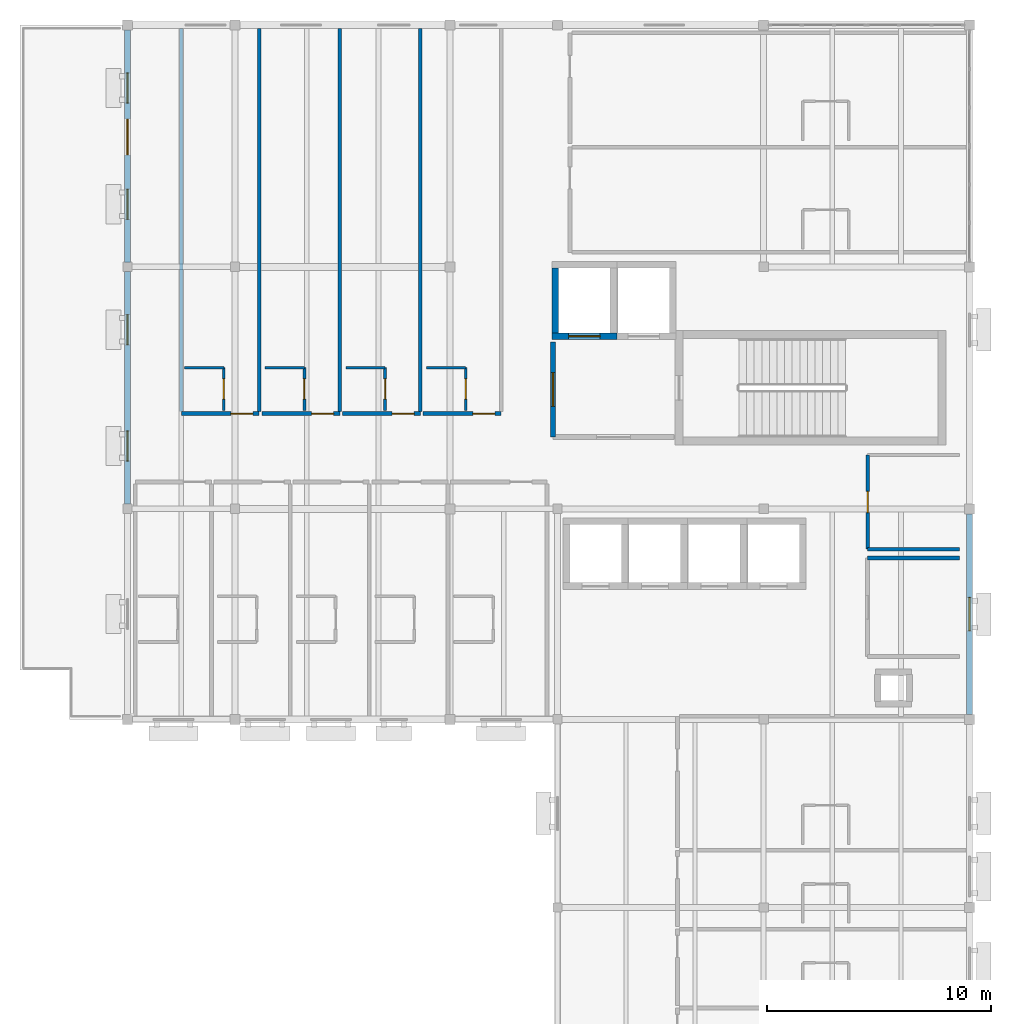
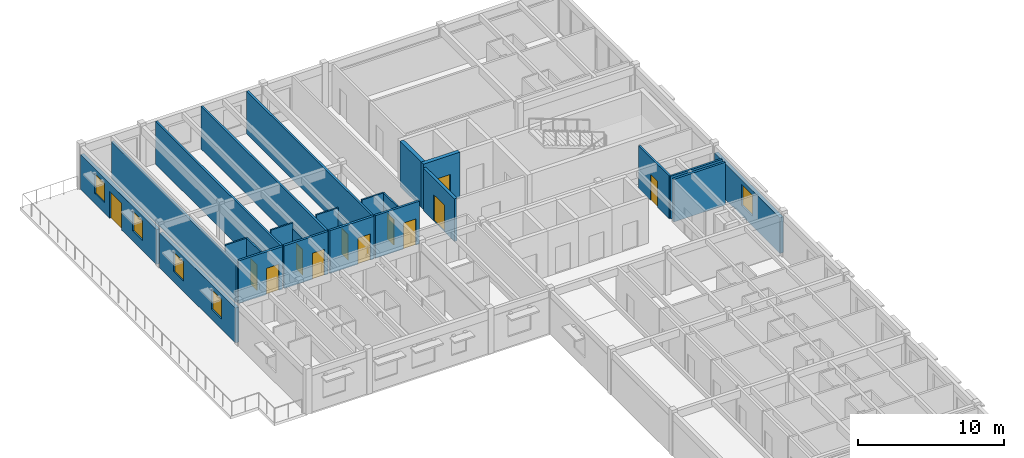
# One storey, part 9 of 15: 25 walls, 12 doors, 5 windows, 17 openings.
"""IFC4 building model written with IfcOpenShell, lengths in metres."""

from ifc_helpers import new_model, si_unit, direction, frame, frame_2d, origin, place, context, subcontext, project, spatial, rectangle, extrude, material, layer, layer_set, type_object, element, fill, save


model = new_model("IFC4")

# Units and contexts
model_context = context("Model", 3, precision=1e-05, world=origin(), true_north=direction((0.0, 1.0)))
body_context = subcontext(model_context, "Body", "Model", "MODEL_VIEW")
ifc_project = project(units=[si_unit("LENGTHUNIT", "METRE"), si_unit("AREAUNIT", "SQUARE_METRE"), si_unit("VOLUMEUNIT", "CUBIC_METRE"), si_unit("PLANEANGLEUNIT", "RADIAN"), si_unit("MASSUNIT", "GRAM", prefix="KILO")], contexts=[model_context])

# Site, building, storey
site_placement = place(None, origin())
site = spatial("IfcSite", under=ifc_project, at=site_placement, CompositionType="ELEMENT")
building_placement = place(site_placement, origin())
building = spatial("IfcBuilding", under=site, at=building_placement, Name="Veldera Park Congress Hotel", CompositionType="ELEMENT")
storey_placement = place(building_placement, frame((0.0, 0.0, 39.0)))
storey = spatial("IfcBuildingStorey", under=building, at=storey_placement, Name="L09", CompositionType="ELEMENT", Elevation=39.0)

# Wall, opening, window
ifc_material_1 = material(Name="Cross-laminated timber CLT V2M1.1", Category="wood")
ifc_layer_1 = layer(ifc_material_1, 0.280029296875)
ifc_layer_set_1 = layer_set([ifc_layer_1], Name="Cross-laminated timber CLT V2M1.1")
wall_type_1 = type_object("IfcWallType", Name="EW-CLT280", PredefinedType="STANDARD", material=ifc_layer_set_1)
wall_1_placement = place(storey_placement, frame((84.0, 27.222900390625, 0.0), z_axis=(0.0, 0.0, 1.0), x_axis=(0.0, 1.0, 0.0)))
wall_1 = element("IfcWall", 1, at=wall_1_placement, inside=storey, type_object=wall_type_1, Name="L09 Exterior Wall EW3-L09-0405", PredefinedType="STANDARD", context=body_context, shape_type="SweptSolid", body=[
    extrude(rectangle(XDim=8.9541015625, YDim=0.280029296875, at=frame_2d((4.47705078125, 0.0))), origin(), (0.0, 0.0, 1.0), 2.97998046875),
])
opening_1_placement = place(wall_1_placement, frame((3.72705078125, 0.0, 0.85009765625)))
opening_1 = element("IfcOpeningElement", 2, at=opening_1_placement, cuts=wall_1, Name="Opening WIN-1500", PredefinedType="OPENING", context=body_context, shape_type="SweptSolid", body=[
    extrude(rectangle(XDim=1.5, YDim=1.75, at=frame_2d((0.75, 0.875))), frame((0.0, 0.152099609375, 0.0), z_axis=(0.0, -1.0, 0.0), x_axis=(1.0, 0.0, 0.0)), (0.0, 0.0, 1.0), 0.303955078125),
])
ifc_material_2 = material(Name="Low-E Triple Insulating Glass Unit (SHGC 0.22)", Category="glass")
window_type_1 = type_object("IfcWindowType", Name="WIN-1500", PartitioningType="SINGLE_PANEL", PredefinedType="WINDOW", material=ifc_material_2)
window_1_placement = place(opening_1_placement, origin())
window_1 = element("IfcWindow", 3, at=window_1_placement, inside=storey, type_object=window_type_1, Name="L09 Window WIN-1500 313", OverallHeight=1.75, OverallWidth=1.5, PartitioningType="SINGLE_PANEL", PredefinedType="WINDOW", context=body_context, shape_type="SweptSolid", body=[
    extrude(rectangle(XDim=1.5, YDim=1.75, at=frame_2d((0.75, 0.875))), frame((0.0, 0.030029296875, 0.0), z_axis=(0.0, -1.0, 0.0), x_axis=(1.0, 0.0, 0.0)), (0.0, 0.0, 1.0), 0.06005859375),
])
fill(opening_1, window_1)

# Wall, openings, door, windows
wall_2_placement = place(storey_placement, frame((46.39990234375, 57.777099609375, 0.0), z_axis=(0.0, 0.0, 1.0), x_axis=(0.0, -1.0, 0.0)))
wall_2 = element("IfcWall", 4, at=wall_2_placement, inside=storey, type_object=wall_type_1, Name="L09 Exterior Wall EW3-L09-0411", PredefinedType="STANDARD", context=body_context, shape_type="SweptSolid", body=[
    extrude(rectangle(XDim=10.369140625, YDim=0.280029296875, at=frame_2d((5.1845703125, 0.0))), origin(), (0.0, 0.0, 1.0), 2.919921875),
])
opening_2_placement = place(wall_2_placement, frame((3.97705078125, 0.0, 0.0)))
opening_2 = element("IfcOpeningElement", 5, at=opening_2_placement, cuts=wall_2, Name="Opening ED-TER160", PredefinedType="OPENING", context=body_context, shape_type="SweptSolid", body=[
    extrude(rectangle(XDim=1.60009765625, YDim=2.25, at=frame_2d((0.800048828125, 1.125))), frame((0.0, 0.152099609375, 0.0), z_axis=(0.0, -1.0, 0.0), x_axis=(1.0, 0.0, 0.0)), (0.0, 0.0, 1.0), 0.303955078125),
])
opening_3_placement = place(wall_2_placement, frame((1.917236328125, 0.0, 0.85009765625)))
opening_3 = element("IfcOpeningElement", 6, at=opening_3_placement, cuts=wall_2, Name="Opening WIN-1350", PredefinedType="OPENING", context=body_context, shape_type="SweptSolid", body=[
    extrude(rectangle(XDim=1.35009765625, YDim=1.64990234375, at=frame_2d((0.675048828125, 0.824951171875))), frame((0.0, 0.152099609375, 0.0), z_axis=(0.0, -1.0, 0.0), x_axis=(1.0, 0.0, 0.0)), (0.0, 0.0, 1.0), 0.303955078125),
])
opening_4_placement = place(wall_2_placement, frame((7.101806640625, 0.0, 0.85009765625)))
opening_4 = element("IfcOpeningElement", 7, at=opening_4_placement, cuts=wall_2, Name="Opening WIN-1350", PredefinedType="OPENING", context=body_context, shape_type="SweptSolid", body=[
    extrude(rectangle(XDim=1.35009765625, YDim=1.64990234375, at=frame_2d((0.675048828125, 0.824951171875))), frame((0.0, 0.152099609375, 0.0), z_axis=(0.0, -1.0, 0.0), x_axis=(1.0, 0.0, 0.0)), (0.0, 0.0, 1.0), 0.303955078125),
])
ifc_material_3 = material(Name="Anodised Aluminium Alloy 6063-T6", Category="aluminium")
door_type_1 = type_object("IfcDoorType", Name="ED-TER160", OperationType="DOUBLE_DOOR_SINGLE_SWING", PredefinedType="DOOR", material=ifc_material_3)
door_1_placement = place(opening_2_placement, frame((1.60009765625, 0.0, 0.0), z_axis=(0.0, 0.0, 1.0), x_axis=(-1.0, 0.0, 0.0)))
door_1 = element("IfcDoor", 8, at=door_1_placement, inside=storey, type_object=door_type_1, Name="Exterior Door TD-L09-NW (DR3-EXT-L09-0029)", OperationType="DOUBLE_DOOR_SINGLE_SWING", OverallHeight=2.25, OverallWidth=1.60009765625, PredefinedType="DOOR", context=body_context, shape_type="SweptSolid", body=[
    extrude(rectangle(XDim=1.60009765625, YDim=2.25, at=frame_2d((0.800048828125, 1.125))), frame((0.0, 0.02490234375, 0.0), z_axis=(0.0, -1.0, 0.0), x_axis=(1.0, 0.0, 0.0)), (0.0, 0.0, 1.0), 0.050048828125),
])
fill(opening_2, door_1)
window_type_2 = type_object("IfcWindowType", Name="WIN-1350", PartitioningType="SINGLE_PANEL", PredefinedType="WINDOW", material=ifc_material_2)
window_2_placement = place(opening_3_placement, origin())
window_2 = element("IfcWindow", 9, at=window_2_placement, inside=storey, type_object=window_type_2, Name="L09 Window WIN-1350 316", OverallHeight=1.64990234375, OverallWidth=1.35009765625, PartitioningType="SINGLE_PANEL", PredefinedType="WINDOW", context=body_context, shape_type="SweptSolid", body=[
    extrude(rectangle(XDim=1.35009765625, YDim=1.64990234375, at=frame_2d((0.675048828125, 0.824951171875))), frame((0.0, 0.030029296875, 0.0), z_axis=(0.0, -1.0, 0.0), x_axis=(1.0, 0.0, 0.0)), (0.0, 0.0, 1.0), 0.06005859375),
])
fill(opening_3, window_2)
window_3_placement = place(opening_4_placement, origin())
window_3 = element("IfcWindow", 10, at=window_3_placement, inside=storey, type_object=window_type_2, Name="L09 Window WIN-1350 317", OverallHeight=1.64990234375, OverallWidth=1.35009765625, PartitioningType="SINGLE_PANEL", PredefinedType="WINDOW", context=body_context, shape_type="SweptSolid", body=[
    extrude(rectangle(XDim=1.35009765625, YDim=1.64990234375, at=frame_2d((0.675048828125, 0.824951171875))), frame((0.0, 0.030029296875, 0.0), z_axis=(0.0, -1.0, 0.0), x_axis=(1.0, 0.0, 0.0)), (0.0, 0.0, 1.0), 0.06005859375),
])
fill(opening_4, window_3)

# Wall, openings, windows
wall_3_placement = place(storey_placement, frame((46.39990234375, 46.991943359375, 0.0), z_axis=(0.0, 0.0, 1.0), x_axis=(0.0, -1.0, 0.0)))
wall_3 = element("IfcWall", 11, at=wall_3_placement, inside=storey, type_object=wall_type_1, Name="L09 Exterior Wall EW3-L09-0412", PredefinedType="STANDARD", context=body_context, shape_type="SweptSolid", body=[
    extrude(rectangle(XDim=10.384033203125, YDim=0.280029296875, at=frame_2d((5.19189453125, 0.0))), origin(), (0.0, 0.0, 1.0), 2.919921875),
])
opening_5_placement = place(wall_3_placement, frame((1.9208984375, 0.0, 0.85009765625)))
opening_5 = element("IfcOpeningElement", 12, at=opening_5_placement, cuts=wall_3, Name="Opening WIN-1350", PredefinedType="OPENING", context=body_context, shape_type="SweptSolid", body=[
    extrude(rectangle(XDim=1.35009765625, YDim=1.64990234375, at=frame_2d((0.675048828125, 0.824951171875))), frame((0.0, 0.152099609375, 0.0), z_axis=(0.0, -1.0, 0.0), x_axis=(1.0, 0.0, 0.0)), (0.0, 0.0, 1.0), 0.303955078125),
])
opening_6_placement = place(wall_3_placement, frame((7.113037109375, 0.0, 0.85009765625)))
opening_6 = element("IfcOpeningElement", 13, at=opening_6_placement, cuts=wall_3, Name="Opening WIN-1350", PredefinedType="OPENING", context=body_context, shape_type="SweptSolid", body=[
    extrude(rectangle(XDim=1.35009765625, YDim=1.64990234375, at=frame_2d((0.675048828125, 0.824951171875))), frame((0.0, 0.152099609375, 0.0), z_axis=(0.0, -1.0, 0.0), x_axis=(1.0, 0.0, 0.0)), (0.0, 0.0, 1.0), 0.303955078125),
])
window_4_placement = place(opening_5_placement, origin())
window_4 = element("IfcWindow", 14, at=window_4_placement, inside=storey, type_object=window_type_2, Name="L09 Window WIN-1350 318", OverallHeight=1.64990234375, OverallWidth=1.35009765625, PartitioningType="SINGLE_PANEL", PredefinedType="WINDOW", context=body_context, shape_type="SweptSolid", body=[
    extrude(rectangle(XDim=1.35009765625, YDim=1.64990234375, at=frame_2d((0.675048828125, 0.824951171875))), frame((0.0, 0.030029296875, 0.0), z_axis=(0.0, -1.0, 0.0), x_axis=(1.0, 0.0, 0.0)), (0.0, 0.0, 1.0), 0.06005859375),
])
fill(opening_5, window_4)
window_5_placement = place(opening_6_placement, origin())
window_5 = element("IfcWindow", 15, at=window_5_placement, inside=storey, type_object=window_type_2, Name="L09 Window WIN-1350 319", OverallHeight=1.64990234375, OverallWidth=1.35009765625, PartitioningType="SINGLE_PANEL", PredefinedType="WINDOW", context=body_context, shape_type="SweptSolid", body=[
    extrude(rectangle(XDim=1.35009765625, YDim=1.64990234375, at=frame_2d((0.675048828125, 0.824951171875))), frame((0.0, 0.030029296875, 0.0), z_axis=(0.0, -1.0, 0.0), x_axis=(1.0, 0.0, 0.0)), (0.0, 0.0, 1.0), 0.06005859375),
])
fill(opening_6, window_5)

# Wall, opening, door
ifc_material_4 = material(Name="Fire-Rated Gypsum Board on Cold-Formed Steel Studs", Category="steel")
ifc_layer_2 = layer(ifc_material_4, 0.1201171875)
ifc_layer_set_2 = layer_set([ifc_layer_2], Name="Fire-Rated Gypsum Board on Cold-Formed Steel Studs")
wall_type_2 = type_object("IfcWallType", Name="IW-BATH120", PredefinedType="PARTITIONING", material=ifc_layer_set_2)
wall_4_placement = place(storey_placement, frame((50.699951171875, 40.800048828125, 0.0), z_axis=(0.0, 0.0, 1.0), x_axis=(0.0, 1.0, 0.0)))
wall_4 = element("IfcWall", 16, at=wall_4_placement, inside=storey, type_object=wall_type_2, Name="L09 Partition Wall IW3-L09-01674", PredefinedType="PARTITIONING", context=body_context, shape_type="SweptSolid", body=[
    extrude(rectangle(XDim=1.89990234375, YDim=0.1201171875, at=frame_2d((0.949951171875, 0.0))), origin(), (0.0, 0.0, 1.0), 3.56494140625),
])
opening_7_placement = place(wall_4_placement, frame((0.5, 0.0, 0.0)))
opening_7 = element("IfcOpeningElement", 17, at=opening_7_placement, cuts=wall_4, Name="Opening ID-BATH090", PredefinedType="OPENING", context=body_context, shape_type="SweptSolid", body=[
    extrude(rectangle(XDim=0.89990234375, YDim=2.14990234375, at=frame_2d((0.449951171875, 1.074951171875))), frame((0.0, 0.072021484375, 0.0), z_axis=(0.0, -1.0, 0.0), x_axis=(1.0, 0.0, 0.0)), (0.0, 0.0, 1.0), 0.14404296875),
])
ifc_material_5 = material(Name="Solid Core White Oak Architectural Door", Category="wood")
door_type_2 = type_object("IfcDoorType", Name="ID-BATH090", OperationType="NOTDEFINED", PredefinedType="DOOR", material=ifc_material_5)
door_2_placement = place(opening_7_placement, origin())
door_2 = element("IfcDoor", 18, at=door_2_placement, inside=storey, type_object=door_type_2, Name="L09 En-suite 274 Door ID3-L09-0687 (DR3-ID3-L09-0687)", OperationType="SINGLE_SWING_LEFT", OverallHeight=2.14990234375, OverallWidth=0.89990234375, PredefinedType="DOOR", context=body_context, shape_type="SweptSolid", body=[
    extrude(rectangle(XDim=0.89990234375, YDim=2.14990234375, at=frame_2d((0.449951171875, 1.074951171875))), frame((0.0, 0.02490234375, 0.0), z_axis=(0.0, -1.0, 0.0), x_axis=(1.0, 0.0, 0.0)), (0.0, 0.0, 1.0), 0.050048828125),
])
fill(opening_7, door_2)

# Wall
wall_5_placement = place(storey_placement, frame((48.949951171875, 42.699951171875, 0.0), z_axis=(0.0, 0.0, 1.0), x_axis=(1.0, 0.0, 0.0)))
element("IfcWall", 19, at=wall_5_placement, inside=storey, type_object=wall_type_2, Name="L09 Partition Wall IW3-L09-01675", PredefinedType="PARTITIONING", context=body_context, shape_type="SweptSolid", body=[
    extrude(rectangle(XDim=1.75, YDim=0.1201171875, at=frame_2d((0.875, 0.0))), origin(), (0.0, 0.0, 1.0), 3.56494140625),
])

# Wall, opening, door
wall_6_placement = place(storey_placement, frame((54.300048828125, 40.800048828125, 0.0), z_axis=(0.0, 0.0, 1.0), x_axis=(0.0, 1.0, 0.0)))
wall_6 = element("IfcWall", 20, at=wall_6_placement, inside=storey, type_object=wall_type_2, Name="L09 Partition Wall IW3-L09-01678", PredefinedType="PARTITIONING", context=body_context, shape_type="SweptSolid", body=[
    extrude(rectangle(XDim=1.89990234375, YDim=0.1201171875, at=frame_2d((0.949951171875, 0.0))), origin(), (0.0, 0.0, 1.0), 3.110107421875),
])
opening_8_placement = place(wall_6_placement, frame((0.5, 0.0, 0.0)))
opening_8 = element("IfcOpeningElement", 21, at=opening_8_placement, cuts=wall_6, Name="Opening ID-BATH090", PredefinedType="OPENING", context=body_context, shape_type="SweptSolid", body=[
    extrude(rectangle(XDim=0.89990234375, YDim=2.14990234375, at=frame_2d((0.449951171875, 1.074951171875))), frame((0.0, 0.072021484375, 0.0), z_axis=(0.0, -1.0, 0.0), x_axis=(1.0, 0.0, 0.0)), (0.0, 0.0, 1.0), 0.14404296875),
])
door_3_placement = place(opening_8_placement, origin())
door_3 = element("IfcDoor", 22, at=door_3_placement, inside=storey, type_object=door_type_2, Name="L09 En-suite 275 Door ID3-L09-0689 (DR3-ID3-L09-0689)", OperationType="SINGLE_SWING_LEFT", OverallHeight=2.14990234375, OverallWidth=0.89990234375, PredefinedType="DOOR", context=body_context, shape_type="SweptSolid", body=[
    extrude(rectangle(XDim=0.89990234375, YDim=2.14990234375, at=frame_2d((0.449951171875, 1.074951171875))), frame((0.0, 0.02490234375, 0.0), z_axis=(0.0, -1.0, 0.0), x_axis=(1.0, 0.0, 0.0)), (0.0, 0.0, 1.0), 0.050048828125),
])
fill(opening_8, door_3)

# Wall
wall_7_placement = place(storey_placement, frame((52.550048828125, 42.699951171875, 0.0), z_axis=(0.0, 0.0, 1.0), x_axis=(1.0, 0.0, 0.0)))
element("IfcWall", 23, at=wall_7_placement, inside=storey, type_object=wall_type_2, Name="L09 Partition Wall IW3-L09-01679", PredefinedType="PARTITIONING", context=body_context, shape_type="SweptSolid", body=[
    extrude(rectangle(XDim=1.75, YDim=0.1201171875, at=frame_2d((0.875, 0.0))), origin(), (0.0, 0.0, 1.0), 3.56494140625),
])

# Wall, opening, door
wall_8_placement = place(storey_placement, frame((57.89990234375, 40.800048828125, 0.0), z_axis=(0.0, 0.0, 1.0), x_axis=(0.0, 1.0, 0.0)))
wall_8 = element("IfcWall", 24, at=wall_8_placement, inside=storey, type_object=wall_type_2, Name="L09 Partition Wall IW3-L09-01682", PredefinedType="PARTITIONING", context=body_context, shape_type="SweptSolid", body=[
    extrude(rectangle(XDim=1.89990234375, YDim=0.1201171875, at=frame_2d((0.949951171875, 0.0))), origin(), (0.0, 0.0, 1.0), 3.110107421875),
])
opening_9_placement = place(wall_8_placement, frame((0.5, 0.0, 0.0)))
opening_9 = element("IfcOpeningElement", 25, at=opening_9_placement, cuts=wall_8, Name="Opening ID-BATH090", PredefinedType="OPENING", context=body_context, shape_type="SweptSolid", body=[
    extrude(rectangle(XDim=0.89990234375, YDim=2.14990234375, at=frame_2d((0.449951171875, 1.074951171875))), frame((0.0, 0.072021484375, 0.0), z_axis=(0.0, -1.0, 0.0), x_axis=(1.0, 0.0, 0.0)), (0.0, 0.0, 1.0), 0.14404296875),
])
door_4_placement = place(opening_9_placement, origin())
door_4 = element("IfcDoor", 26, at=door_4_placement, inside=storey, type_object=door_type_2, Name="L09 En-suite 276 Door ID3-L09-0691 (DR3-ID3-L09-0691)", OperationType="SINGLE_SWING_LEFT", OverallHeight=2.14990234375, OverallWidth=0.89990234375, PredefinedType="DOOR", context=body_context, shape_type="SweptSolid", body=[
    extrude(rectangle(XDim=0.89990234375, YDim=2.14990234375, at=frame_2d((0.449951171875, 1.074951171875))), frame((0.0, 0.02490234375, 0.0), z_axis=(0.0, -1.0, 0.0), x_axis=(1.0, 0.0, 0.0)), (0.0, 0.0, 1.0), 0.050048828125),
])
fill(opening_9, door_4)

# Wall
wall_9_placement = place(storey_placement, frame((56.14990234375, 42.699951171875, 0.0), z_axis=(0.0, 0.0, 1.0), x_axis=(1.0, 0.0, 0.0)))
element("IfcWall", 27, at=wall_9_placement, inside=storey, type_object=wall_type_2, Name="L09 Partition Wall IW3-L09-01683", PredefinedType="PARTITIONING", context=body_context, shape_type="SweptSolid", body=[
    extrude(rectangle(XDim=1.75, YDim=0.1201171875, at=frame_2d((0.875, 0.0))), origin(), (0.0, 0.0, 1.0), 3.56494140625),
])

# Wall, opening, door
wall_10_placement = place(storey_placement, frame((61.5, 40.800048828125, 0.0), z_axis=(0.0, 0.0, 1.0), x_axis=(0.0, 1.0, 0.0)))
wall_10 = element("IfcWall", 28, at=wall_10_placement, inside=storey, type_object=wall_type_2, Name="L09 Partition Wall IW3-L09-01686", PredefinedType="PARTITIONING", context=body_context, shape_type="SweptSolid", body=[
    extrude(rectangle(XDim=1.89990234375, YDim=0.1201171875, at=frame_2d((0.949951171875, 0.0))), origin(), (0.0, 0.0, 1.0), 3.56494140625),
])
opening_10_placement = place(wall_10_placement, frame((0.5, 0.0, 0.0)))
opening_10 = element("IfcOpeningElement", 29, at=opening_10_placement, cuts=wall_10, Name="Opening ID-BATH090", PredefinedType="OPENING", context=body_context, shape_type="SweptSolid", body=[
    extrude(rectangle(XDim=0.89990234375, YDim=2.14990234375, at=frame_2d((0.449951171875, 1.074951171875))), frame((0.0, 0.072021484375, 0.0), z_axis=(0.0, -1.0, 0.0), x_axis=(1.0, 0.0, 0.0)), (0.0, 0.0, 1.0), 0.14404296875),
])
door_5_placement = place(opening_10_placement, origin())
door_5 = element("IfcDoor", 30, at=door_5_placement, inside=storey, type_object=door_type_2, Name="L09 En-suite 277 Door ID3-L09-0693 (DR3-ID3-L09-0693)", OperationType="SINGLE_SWING_LEFT", OverallHeight=2.14990234375, OverallWidth=0.89990234375, PredefinedType="DOOR", context=body_context, shape_type="SweptSolid", body=[
    extrude(rectangle(XDim=0.89990234375, YDim=2.14990234375, at=frame_2d((0.449951171875, 1.074951171875))), frame((0.0, 0.02490234375, 0.0), z_axis=(0.0, -1.0, 0.0), x_axis=(1.0, 0.0, 0.0)), (0.0, 0.0, 1.0), 0.050048828125),
])
fill(opening_10, door_5)

# Walls
wall_11_placement = place(storey_placement, frame((59.75, 42.699951171875, 0.0), z_axis=(0.0, 0.0, 1.0), x_axis=(1.0, 0.0, 0.0)))
element("IfcWall", 31, at=wall_11_placement, inside=storey, type_object=wall_type_2, Name="L09 Partition Wall IW3-L09-01687", PredefinedType="PARTITIONING", context=body_context, shape_type="SweptSolid", body=[
    extrude(rectangle(XDim=1.75, YDim=0.1201171875, at=frame_2d((0.875, 0.0))), origin(), (0.0, 0.0, 1.0), 3.56494140625),
])
ifc_layer_3 = layer(ifc_material_4, 0.179931640625)
ifc_layer_set_3 = layer_set([ifc_layer_3], Name="Fire-Rated Gypsum Board on Cold-Formed Steel Studs")
wall_type_3 = type_object("IfcWallType", Name="IW-CORR180", PredefinedType="PARTITIONING", material=ifc_layer_set_3)
wall_12_placement = place(storey_placement, frame((83.550048828125, 34.199951171875, 0.0), z_axis=(0.0, 0.0, 1.0), x_axis=(-1.0, 0.0, 0.0)))
element("IfcWall", 32, at=wall_12_placement, inside=storey, type_object=wall_type_3, Name="L09 Partition Wall IW3-L09-00325", PredefinedType="PARTITIONING", context=body_context, shape_type="SweptSolid", body=[
    extrude(rectangle(XDim=4.10009765625, YDim=0.179931640625, at=frame_2d((2.050048828125, 0.0))), origin(), (0.0, 0.0, 1.0), 3.56494140625),
])

# Wall, opening, door
wall_13_placement = place(storey_placement, frame((48.800048828125, 40.64990234375, 0.0), z_axis=(0.0, 0.0, 1.0), x_axis=(1.0, 0.0, 0.0)))
wall_13 = element("IfcWall", 33, at=wall_13_placement, inside=storey, type_object=wall_type_3, Name="L09 Corridor Wall IW3-L09-01671", PredefinedType="PARTITIONING", context=body_context, shape_type="SweptSolid", body=[
    extrude(rectangle(XDim=3.47998046875, YDim=0.179931640625, at=frame_2d((1.739990234375, 0.0))), origin(), (0.0, 0.0, 1.0), 3.56494140625),
])
opening_11_placement = place(wall_13_placement, frame((2.219970703125, 0.0, 0.0)))
opening_11 = element("IfcOpeningElement", 34, at=opening_11_placement, cuts=wall_13, Name="Opening ID-UNIT098", PredefinedType="OPENING", context=body_context, shape_type="SweptSolid", body=[
    extrude(rectangle(XDim=0.97998046875, YDim=2.179931640625, at=frame_2d((0.489990234375, 1.08984375))), frame((0.0, 0.10205078125, 0.0), z_axis=(0.0, -1.0, 0.0), x_axis=(1.0, 0.0, 0.0)), (0.0, 0.0, 1.0), 0.203857421875),
])
door_type_3 = type_object("IfcDoorType", Name="ID-UNIT098", OperationType="NOTDEFINED", PredefinedType="DOOR", material=ifc_material_5)
door_6_placement = place(opening_11_placement, frame((0.97998046875, 0.0, 0.0), z_axis=(0.0, 0.0, 1.0), x_axis=(-1.0, 0.0, 0.0)))
door_6 = element("IfcDoor", 35, at=door_6_placement, inside=storey, type_object=door_type_3, Name="L09 Guestroom 274 Entry Door (DR3-UD3-L09-274)", OperationType="SINGLE_SWING_RIGHT", OverallHeight=2.179931640625, OverallWidth=0.97998046875, PredefinedType="DOOR", context=body_context, shape_type="SweptSolid", body=[
    extrude(rectangle(XDim=0.97998046875, YDim=2.179931640625, at=frame_2d((0.489990234375, 1.08984375))), frame((0.0, 0.02490234375, 0.0), z_axis=(0.0, -1.0, 0.0), x_axis=(1.0, 0.0, 0.0)), (0.0, 0.0, 1.0), 0.050048828125),
])
fill(opening_11, door_6)

wall_14_placement = place(storey_placement, frame((52.39990234375, 40.64990234375, 0.0), z_axis=(0.0, 0.0, 1.0), x_axis=(1.0, 0.0, 0.0)))
wall_14 = element("IfcWall", 36, at=wall_14_placement, inside=storey, type_object=wall_type_3, Name="L09 Corridor Wall IW3-L09-01676", PredefinedType="PARTITIONING", context=body_context, shape_type="SweptSolid", body=[
    extrude(rectangle(XDim=3.47998046875, YDim=0.179931640625, at=frame_2d((1.739990234375, 0.0))), origin(), (0.0, 0.0, 1.0), 3.56494140625),
])
opening_12_placement = place(wall_14_placement, frame((2.219970703125, 0.0, 0.0)))
opening_12 = element("IfcOpeningElement", 37, at=opening_12_placement, cuts=wall_14, Name="Opening ID-UNIT098", PredefinedType="OPENING", context=body_context, shape_type="SweptSolid", body=[
    extrude(rectangle(XDim=0.97998046875, YDim=2.179931640625, at=frame_2d((0.489990234375, 1.08984375))), frame((0.0, 0.10205078125, 0.0), z_axis=(0.0, -1.0, 0.0), x_axis=(1.0, 0.0, 0.0)), (0.0, 0.0, 1.0), 0.203857421875),
])
door_7_placement = place(opening_12_placement, frame((0.97998046875, 0.0, 0.0), z_axis=(0.0, 0.0, 1.0), x_axis=(-1.0, 0.0, 0.0)))
door_7 = element("IfcDoor", 38, at=door_7_placement, inside=storey, type_object=door_type_3, Name="L09 Guestroom 275 Entry Door (DR3-UD3-L09-275)", OperationType="SINGLE_SWING_RIGHT", OverallHeight=2.179931640625, OverallWidth=0.97998046875, PredefinedType="DOOR", context=body_context, shape_type="SweptSolid", body=[
    extrude(rectangle(XDim=0.97998046875, YDim=2.179931640625, at=frame_2d((0.489990234375, 1.08984375))), frame((0.0, 0.02490234375, 0.0), z_axis=(0.0, -1.0, 0.0), x_axis=(1.0, 0.0, 0.0)), (0.0, 0.0, 1.0), 0.050048828125),
])
fill(opening_12, door_7)

wall_15_placement = place(storey_placement, frame((56.0, 40.64990234375, 0.0), z_axis=(0.0, 0.0, 1.0), x_axis=(1.0, 0.0, 0.0)))
wall_15 = element("IfcWall", 39, at=wall_15_placement, inside=storey, type_object=wall_type_3, Name="L09 Corridor Wall IW3-L09-01680", PredefinedType="PARTITIONING", context=body_context, shape_type="SweptSolid", body=[
    extrude(rectangle(XDim=3.47998046875, YDim=0.179931640625, at=frame_2d((1.739990234375, 0.0))), origin(), (0.0, 0.0, 1.0), 3.56494140625),
])
opening_13_placement = place(wall_15_placement, frame((2.219970703125, 0.0, 0.0)))
opening_13 = element("IfcOpeningElement", 40, at=opening_13_placement, cuts=wall_15, Name="Opening ID-UNIT098", PredefinedType="OPENING", context=body_context, shape_type="SweptSolid", body=[
    extrude(rectangle(XDim=0.97998046875, YDim=2.179931640625, at=frame_2d((0.489990234375, 1.08984375))), frame((0.0, 0.10205078125, 0.0), z_axis=(0.0, -1.0, 0.0), x_axis=(1.0, 0.0, 0.0)), (0.0, 0.0, 1.0), 0.203857421875),
])
door_8_placement = place(opening_13_placement, frame((0.97998046875, 0.0, 0.0), z_axis=(0.0, 0.0, 1.0), x_axis=(-1.0, 0.0, 0.0)))
door_8 = element("IfcDoor", 41, at=door_8_placement, inside=storey, type_object=door_type_3, Name="L09 Guestroom 276 Entry Door (DR3-UD3-L09-276)", OperationType="SINGLE_SWING_RIGHT", OverallHeight=2.179931640625, OverallWidth=0.97998046875, PredefinedType="DOOR", context=body_context, shape_type="SweptSolid", body=[
    extrude(rectangle(XDim=0.97998046875, YDim=2.179931640625, at=frame_2d((0.489990234375, 1.08984375))), frame((0.0, 0.02490234375, 0.0), z_axis=(0.0, -1.0, 0.0), x_axis=(1.0, 0.0, 0.0)), (0.0, 0.0, 1.0), 0.050048828125),
])
fill(opening_13, door_8)

wall_16_placement = place(storey_placement, frame((59.60009765625, 40.64990234375, 0.0), z_axis=(0.0, 0.0, 1.0), x_axis=(1.0, 0.0, 0.0)))
wall_16 = element("IfcWall", 42, at=wall_16_placement, inside=storey, type_object=wall_type_3, Name="L09 Corridor Wall IW3-L09-01684", PredefinedType="PARTITIONING", context=body_context, shape_type="SweptSolid", body=[
    extrude(rectangle(XDim=3.47998046875, YDim=0.179931640625, at=frame_2d((1.739990234375, 0.0))), origin(), (0.0, 0.0, 1.0), 3.56494140625),
])
opening_14_placement = place(wall_16_placement, frame((2.219970703125, 0.0, 0.0)))
opening_14 = element("IfcOpeningElement", 43, at=opening_14_placement, cuts=wall_16, Name="Opening ID-UNIT098", PredefinedType="OPENING", context=body_context, shape_type="SweptSolid", body=[
    extrude(rectangle(XDim=0.97998046875, YDim=2.179931640625, at=frame_2d((0.489990234375, 1.08984375))), frame((0.0, 0.10205078125, 0.0), z_axis=(0.0, -1.0, 0.0), x_axis=(1.0, 0.0, 0.0)), (0.0, 0.0, 1.0), 0.203857421875),
])
door_9_placement = place(opening_14_placement, frame((0.97998046875, 0.0, 0.0), z_axis=(0.0, 0.0, 1.0), x_axis=(-1.0, 0.0, 0.0)))
door_9 = element("IfcDoor", 44, at=door_9_placement, inside=storey, type_object=door_type_3, Name="L09 Guestroom 277 Entry Door (DR3-UD3-L09-277)", OperationType="SINGLE_SWING_RIGHT", OverallHeight=2.179931640625, OverallWidth=0.97998046875, PredefinedType="DOOR", context=body_context, shape_type="SweptSolid", body=[
    extrude(rectangle(XDim=0.97998046875, YDim=2.179931640625, at=frame_2d((0.489990234375, 1.08984375))), frame((0.0, 0.02490234375, 0.0), z_axis=(0.0, -1.0, 0.0), x_axis=(1.0, 0.0, 0.0)), (0.0, 0.0, 1.0), 0.050048828125),
])
fill(opening_14, door_9)

ifc_material_6 = material(Name="Concrete f'c 40 MPa (5,800 psi)", Category="concrete")
ifc_layer_4 = layer(ifc_material_6, 0.219970703125)
ifc_layer_set_4 = layer_set([ifc_layer_4], Name="Concrete f'c 40 MPa (5,800 psi)")
wall_type_4 = type_object("IfcWallType", Name="IW-FIRE220", PredefinedType="STANDARD", material=ifc_layer_set_4)
wall_17_placement = place(storey_placement, frame((65.39990234375, 43.85009765625, 0.0), z_axis=(0.0, 0.0, 1.0), x_axis=(0.0, -1.0, 0.0)))
wall_17 = element("IfcWall", 45, at=wall_17_placement, inside=storey, type_object=wall_type_4, Name="L09 Partition Wall IW3-L09-00320", PredefinedType="STANDARD", context=body_context, shape_type="SweptSolid", body=[
    extrude(rectangle(XDim=4.25, YDim=0.219970703125, at=frame_2d((2.125, 0.0))), origin(), (0.0, 0.0, 1.0), 3.56494140625),
])
opening_15_placement = place(wall_17_placement, frame((1.375, 0.0, 0.0)))
opening_15 = element("IfcOpeningElement", 46, at=opening_15_placement, cuts=wall_17, Name="Opening ID-LOB150", PredefinedType="OPENING", context=body_context, shape_type="SweptSolid", body=[
    extrude(rectangle(XDim=1.5, YDim=2.199951171875, at=frame_2d((0.75, 1.10009765625))), frame((0.0, 0.1220703125, 0.0), z_axis=(0.0, -1.0, 0.0), x_axis=(1.0, 0.0, 0.0)), (0.0, 0.0, 1.0), 0.243896484375),
])
ifc_material_7 = material(Name="Hollow Metal Fire-Rated Steel Door", Category="steel")
door_type_4 = type_object("IfcDoorType", Name="ID-LOB150", OperationType="DOUBLE_DOOR_SINGLE_SWING", PredefinedType="DOOR", material=ifc_material_7)
door_10_placement = place(opening_15_placement, origin())
door_10 = element("IfcDoor", 47, at=door_10_placement, inside=storey, type_object=door_type_4, Name="L09 Firefighting Lobby Door ID3-L09-0120 (DR3-ID3-L09-0120)", OperationType="DOUBLE_DOOR_SINGLE_SWING", OverallHeight=2.199951171875, OverallWidth=1.5, PredefinedType="DOOR", context=body_context, shape_type="SweptSolid", body=[
    extrude(rectangle(XDim=1.5, YDim=2.199951171875, at=frame_2d((0.75, 1.10009765625))), frame((0.0, 0.02490234375, 0.0), z_axis=(0.0, -1.0, 0.0), x_axis=(1.0, 0.0, 0.0)), (0.0, 0.0, 1.0), 0.050048828125),
])
fill(opening_15, door_10)

# Wall
ifc_layer_5 = layer(ifc_material_4, 0.14990234375)
ifc_layer_set_5 = layer_set([ifc_layer_5], Name="Fire-Rated Gypsum Board on Cold-Formed Steel Studs")
wall_type_5 = type_object("IfcWallType", Name="IW-PLMB150", PredefinedType="PLUMBINGWALL", material=ifc_layer_set_5)
wall_18_placement = place(storey_placement, frame((79.449951171875, 34.60009765625, 0.0), z_axis=(0.0, 0.0, 1.0), x_axis=(1.0, 0.0, 0.0)))
element("IfcWall", 48, at=wall_18_placement, inside=storey, type_object=wall_type_5, Name="L09 Partition Wall IW3-L09-00327", PredefinedType="PLUMBINGWALL", context=body_context, shape_type="SweptSolid", body=[
    extrude(rectangle(XDim=4.10009765625, YDim=0.14990234375, at=frame_2d((2.050048828125, 0.0))), origin(), (0.0, 0.0, 1.0), 3.56494140625),
])

# Wall, opening, door
wall_19_placement = place(storey_placement, frame((79.449951171875, 38.800048828125, 0.0), z_axis=(0.0, 0.0, 1.0), x_axis=(0.0, -1.0, 0.0)))
wall_19 = element("IfcWall", 49, at=wall_19_placement, inside=storey, type_object=wall_type_5, Name="L09 Partition Wall IW3-L09-00329", PredefinedType="PLUMBINGWALL", context=body_context, shape_type="SweptSolid", body=[
    extrude(rectangle(XDim=4.199951171875, YDim=0.14990234375, at=frame_2d((2.10009765625, 0.0))), origin(), (0.0, 0.0, 1.0), 3.56494140625),
])
opening_16_placement = place(wall_19_placement, frame((1.625, 0.0, 0.0)))
opening_16 = element("IfcOpeningElement", 50, at=opening_16_placement, cuts=wall_19, Name="Opening ID-WC095", PredefinedType="OPENING", context=body_context, shape_type="SweptSolid", body=[
    extrude(rectangle(XDim=0.949951171875, YDim=2.14990234375, at=frame_2d((0.47509765625, 1.074951171875))), frame((0.0, 0.0869140625, 0.0), z_axis=(0.0, -1.0, 0.0), x_axis=(1.0, 0.0, 0.0)), (0.0, 0.0, 1.0), 0.173828125),
])
door_type_5 = type_object("IfcDoorType", Name="ID-WC095", OperationType="NOTDEFINED", PredefinedType="DOOR", material=ifc_material_5)
door_11_placement = place(opening_16_placement, origin())
door_11 = element("IfcDoor", 51, at=door_11_placement, inside=storey, type_object=door_type_5, Name="L09 L09 Public Accessible WC Door ID3-L09-0123 (DR3-ID3-L09-0123)", OperationType="SINGLE_SWING_RIGHT", OverallHeight=2.14990234375, OverallWidth=0.949951171875, PredefinedType="DOOR", context=body_context, shape_type="SweptSolid", body=[
    extrude(rectangle(XDim=0.949951171875, YDim=2.14990234375, at=frame_2d((0.47509765625, 1.074951171875))), frame((0.0, 0.02490234375, 0.0), z_axis=(0.0, -1.0, 0.0), x_axis=(1.0, 0.0, 0.0)), (0.0, 0.0, 1.0), 0.050048828125),
])
fill(opening_16, door_11)

# Walls
ifc_layer_6 = layer(ifc_material_1, 0.159912109375)
ifc_layer_set_6 = layer_set([ifc_layer_6], Name="Cross-laminated timber CLT V2M1.1")
wall_type_6 = type_object("IfcWallType", Name="IW-UNIT160", PredefinedType="PARTITIONING", material=ifc_layer_set_6)
wall_20_placement = place(storey_placement, frame((48.800048828125, 40.75, 0.0), z_axis=(0.0, 0.0, 1.0), x_axis=(0.0, 1.0, 0.0)))
element("IfcWall", 52, at=wall_20_placement, inside=storey, type_object=wall_type_6, Name="L09 Partition Wall IW3-L09-01672", PredefinedType="PARTITIONING", context=body_context, shape_type="SweptSolid", body=[
    extrude(rectangle(XDim=17.090087890625, YDim=0.159912109375, at=frame_2d((8.544921875, 0.0))), origin(), (0.0, 0.0, 1.0), 3.110107421875),
])
for number, where, z_axis, x_axis, name in (
    (53, (52.280029296875, 40.75, 0.0), (0.0, 0.0, 1.0), (0.0, 1.0, 0.0), "L09 Partition Wall IW3-L09-01673"),
    (54, (55.8798828125, 40.75, 0.0), (0.0, 0.0, 1.0), (0.0, 1.0, 0.0), "L09 Partition Wall IW3-L09-01677"),
    (55, (59.47998046875, 40.75, 0.0), (0.0, 0.0, 1.0), (0.0, 1.0, 0.0), "L09 Partition Wall IW3-L09-01681"),
):
    element("IfcWall", number, at=place(storey_placement, frame(where, z_axis=z_axis, x_axis=x_axis)), inside=storey, type_object=wall_type_6, Name=name, PredefinedType="PARTITIONING", context=body_context, shape_type="SweptSolid", body=[
        extrude(rectangle(XDim=17.090087890625, YDim=0.159912109375, at=frame_2d((8.544921875, 0.0))), origin(), (0.0, 0.0, 1.0), 3.56494140625),
    ])

# Wall, opening, door
ifc_layer_7 = layer(ifc_material_6, 0.300048828125)
ifc_layer_set_7 = layer_set([ifc_layer_7], Name="Concrete f'c 40 MPa (5,800 psi)")
wall_type_7 = type_object("IfcWallType", Name="SW-SHFT300", PredefinedType="SHEAR", material=ifc_layer_set_7)
wall_21_placement = place(storey_placement, frame((65.35009765625, 44.10009765625, 0.0), z_axis=(0.0, 0.0, 1.0), x_axis=(1.0, 0.0, 0.0)))
wall_21 = element("IfcWall", 56, at=wall_21_placement, inside=storey, type_object=wall_type_7, Name="Lift FL-01 Shaft Wall L09-S", PredefinedType="SHEAR", context=body_context, shape_type="SweptSolid", body=[
    extrude(rectangle(XDim=2.89990234375, YDim=0.300048828125, at=frame_2d((1.449951171875, 0.0))), origin(), (0.0, 0.0, 1.0), 3.800048828125),
])
opening_17_placement = place(wall_21_placement, frame((0.75, 0.0, 0.0)))
opening_17 = element("IfcOpeningElement", 57, at=opening_17_placement, cuts=wall_21, Name="Opening LD-140", PredefinedType="OPENING", context=body_context, shape_type="SweptSolid", body=[
    extrude(rectangle(XDim=1.39990234375, YDim=2.199951171875, at=frame_2d((0.699951171875, 1.10009765625))), frame((0.0, 0.162109375, 0.0), z_axis=(0.0, -1.0, 0.0), x_axis=(1.0, 0.0, 0.0)), (0.0, 0.0, 1.0), 0.323974609375),
])
door_type_6 = type_object("IfcDoorType", Name="LD-140", OperationType="DOUBLE_DOOR_SLIDING", PredefinedType="DOOR", material=ifc_material_7)
door_12_placement = place(opening_17_placement, origin())
door_12 = element("IfcDoor", 58, at=door_12_placement, inside=storey, type_object=door_type_6, Name="L09 Lift FL-01 Landing Door (DR3-LD-FL-01-L09)", OperationType="DOUBLE_DOOR_SLIDING", OverallHeight=2.199951171875, OverallWidth=1.39990234375, PredefinedType="DOOR", context=body_context, shape_type="SweptSolid", body=[
    extrude(rectangle(XDim=1.39990234375, YDim=2.199951171875, at=frame_2d((0.699951171875, 1.10009765625))), frame((0.0, 0.02490234375, 0.0), z_axis=(0.0, -1.0, 0.0), x_axis=(1.0, 0.0, 0.0)), (0.0, 0.0, 1.0), 0.050048828125),
])
fill(opening_17, door_12)

# Wall
wall_22_placement = place(storey_placement, frame((65.5, 47.14990234375, 0.0), z_axis=(0.0, 0.0, 1.0), x_axis=(0.0, -1.0, 0.0)))
element("IfcWall", 59, at=wall_22_placement, inside=storey, type_object=wall_type_7, Name="Lift FL-01 Shaft Wall L09-W", PredefinedType="SHEAR", context=body_context, shape_type="SweptSolid", body=[
    extrude(rectangle(XDim=2.89990234375, YDim=0.300048828125, at=frame_2d((1.449951171875, 0.0))), origin(), (0.0, 0.0, 1.0), 3.800048828125),
])

save(model, "model.ifc")
